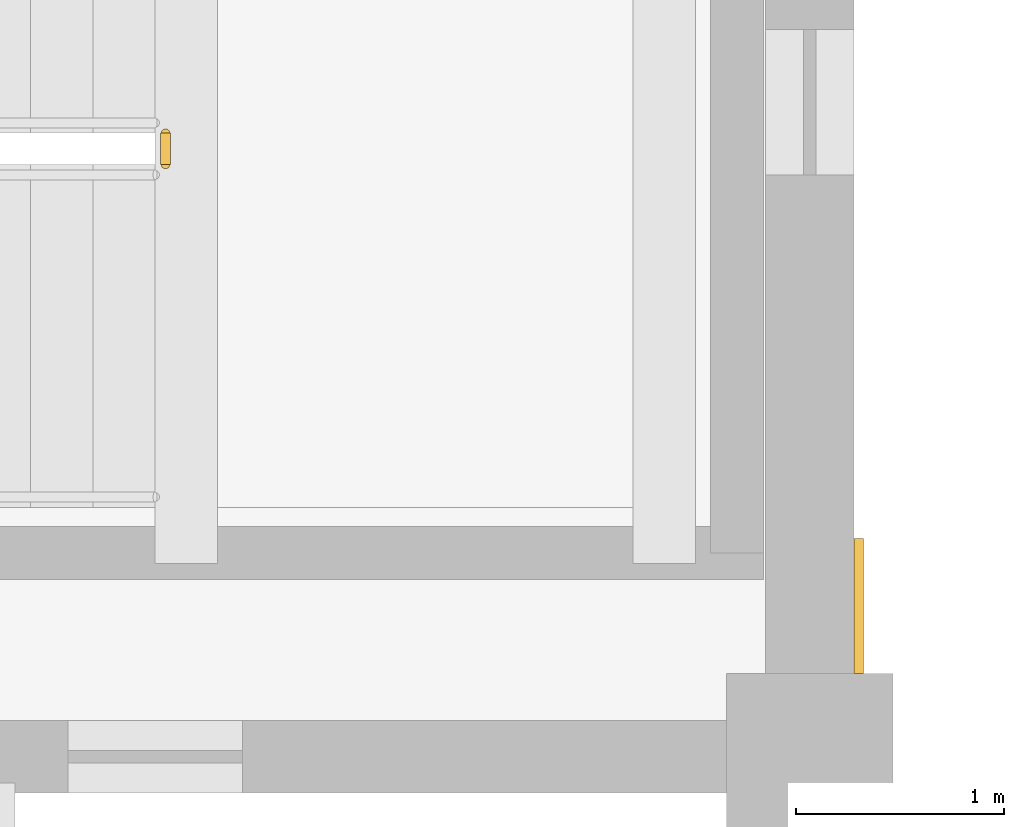
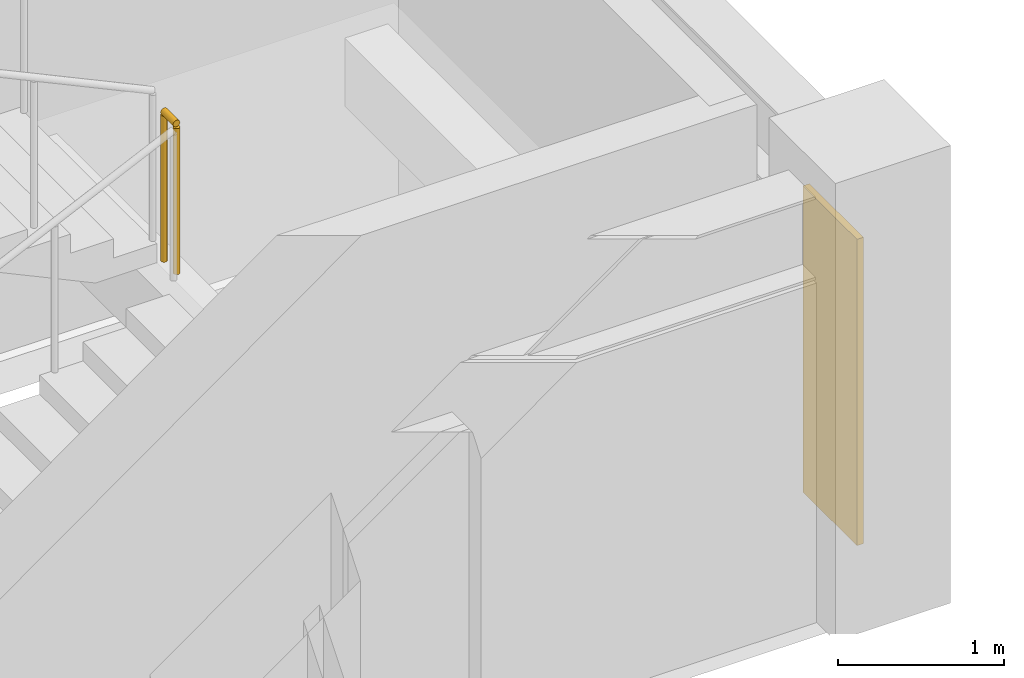
# One storey, part 104 of 111: 1 covering, 1 railing.
"""IFC4 building model written with IfcOpenShell, lengths in metres."""

from ifc_helpers import new_model, si_unit, direction, frame, origin, origin_2d, place, context, subcontext, project, spatial, polyline, circle, outline, extrude, material, layer, layer_set, type_object, element, save


model = new_model("IFC4")

# Units and contexts
model_context = context("Model", 3, precision=1e-05, world=origin(), true_north=direction((0.0, 1.0)))
body_context = subcontext(model_context, "Body", "Model", "MODEL_VIEW")
ifc_project = project(units=[si_unit("LENGTHUNIT", "METRE"), si_unit("AREAUNIT", "SQUARE_METRE"), si_unit("VOLUMEUNIT", "CUBIC_METRE"), si_unit("PLANEANGLEUNIT", "RADIAN"), si_unit("MASSUNIT", "GRAM", prefix="KILO")], contexts=[model_context])

# Site, building, storey
site_placement = place(None, origin())
site = spatial("IfcSite", under=ifc_project, at=site_placement, CompositionType="ELEMENT")
building_placement = place(site_placement, origin())
building = spatial("IfcBuilding", under=site, at=building_placement, Name="Cumbredor Promenade Congress Hotel", CompositionType="ELEMENT")
storey_placement = place(building_placement, frame((0.0, 0.0, 15.1201171875)))
storey = spatial("IfcBuildingStorey", under=building, at=storey_placement, Name="L04", CompositionType="ELEMENT", Elevation=15.1201171875)

# Covering
ifc_material_1 = material(Name="Precast concrete C40/50", Category="concrete")
ifc_layer = layer(ifc_material_1, 0.044921875, Name="Precast concrete C40/50", Category="concrete")
ifc_layer_set = layer_set([ifc_layer], Name="Precast concrete C40/50")
covering_type = type_object("IfcCoveringType", Name="Board-Formed Architectural Cladding Panel 45mm", PredefinedType="CLADDING", material=ifc_layer_set)
covering_placement = place(storey_placement, origin())
element("IfcCovering", 1, at=covering_placement, inside=storey, type_object=covering_type, Name="L04 Facade Stone Cladding Pier 172", PredefinedType="CLADDING", context=body_context, shape_type="SweptSolid", body=[
    extrude(outline(polyline([(67.41259765625, 8.801025390625), (67.41259765625, 9.450927734375), (67.45751953125, 9.450927734375), (67.45751953125, 8.801025390625), (67.41259765625, 8.801025390625)])), origin(), (0.0, 0.0, 1.0), 2.25),
])

# Railing
ifc_material_2 = material(Name="Brushed stainless steel", Category="steel")
railing_type = type_object("IfcRailingType", Name="Interior Void & Stair Guardrail GR-1100", PredefinedType="GUARDRAIL", material=ifc_material_2)
railing_placement = place(storey_placement, frame((64.10009765625, 11.25, 1.679931640625)))
element("IfcRailing", 2, at=railing_placement, inside=storey, type_object=railing_type, Name="L04 ST-05 stair guard 2", PredefinedType="GUARDRAIL", context=body_context, shape_type="SweptSolid", body=[
    extrude(circle(Radius=0.02392578125, at=origin_2d()), frame((0.0, 0.0, 1.09619140625), z_axis=(0.0, 1.0, 0.0), x_axis=(-1.0, 0.0, 0.0)), (0.0, 0.0, 1.0), 0.14990234375),
    extrude(circle(Radius=0.02099609375, at=origin_2d()), origin(), (0.0, 0.0, 1.0), 1.072021484375),
    extrude(circle(Radius=0.02099609375, at=origin_2d()), frame((0.0, 0.14990234375, 0.0)), (0.0, 0.0, 1.0), 1.072021484375),
])

save(model, "model.ifc")
